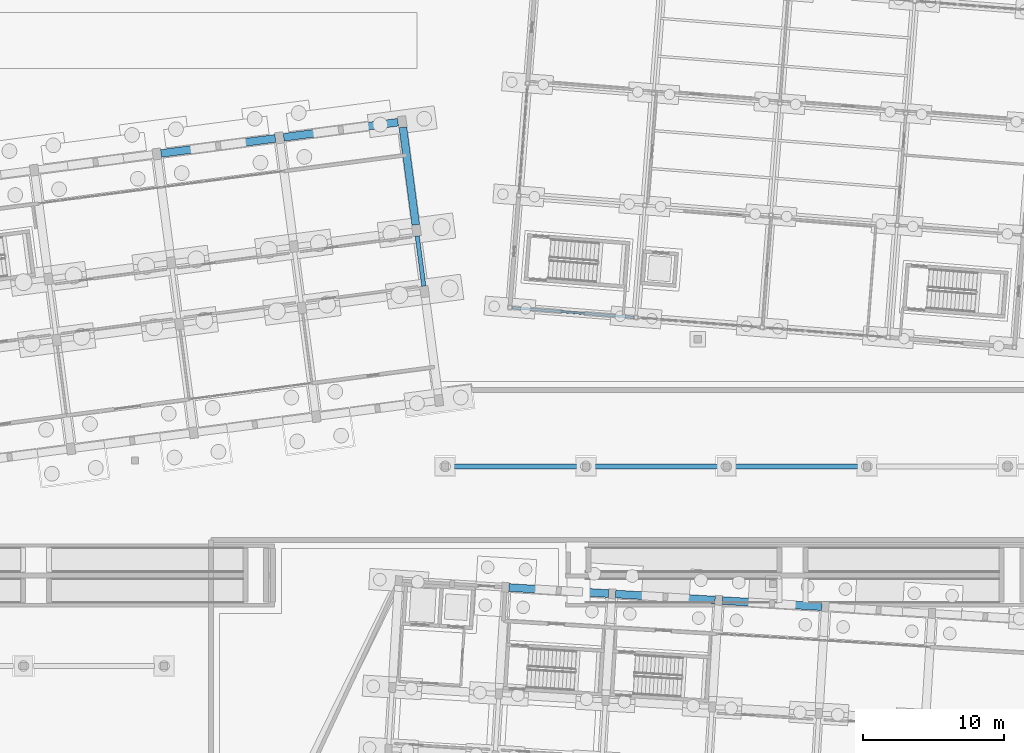
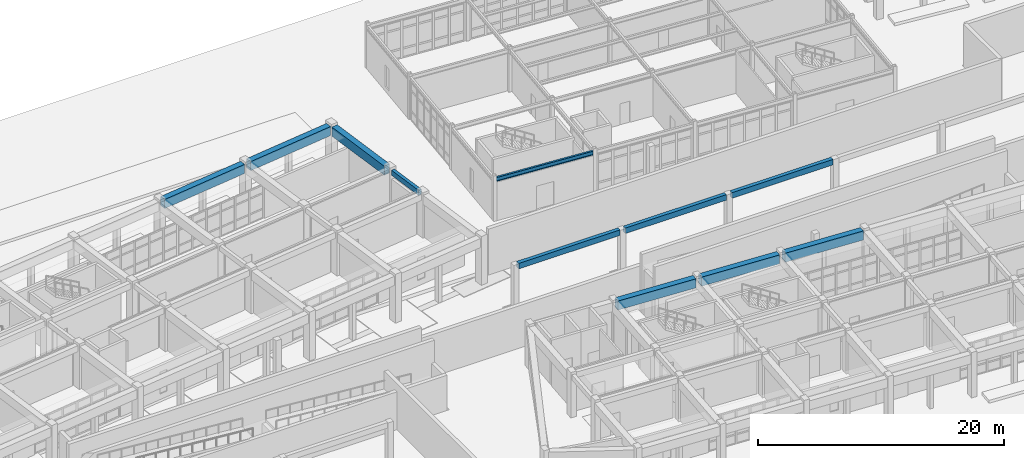
# One storey, part 71 of 154: 11 beams.
"""IFC4 building model written with IfcOpenShell, lengths in metres."""

from ifc_helpers import new_model, si_unit, direction, frame, origin, origin_2d, place, context, subcontext, project, spatial, rectangle, i_section, extrude, material, material_profile, profile_set, type_object, element, save


model = new_model("IFC4")

# Units and contexts
model_context = context("Model", 3, precision=1e-05, world=origin(), true_north=direction((0.0, 1.0)))
body_context = subcontext(model_context, "Body", "Model", "MODEL_VIEW")
ifc_project = project(units=[si_unit("LENGTHUNIT", "METRE"), si_unit("AREAUNIT", "SQUARE_METRE"), si_unit("VOLUMEUNIT", "CUBIC_METRE"), si_unit("PLANEANGLEUNIT", "RADIAN"), si_unit("MASSUNIT", "GRAM", prefix="KILO")], contexts=[model_context])

# Site, building, storey
site_placement = place(None, origin())
site = spatial("IfcSite", under=ifc_project, at=site_placement, CompositionType="ELEMENT")
building_placement = place(site_placement, origin())
building = spatial("IfcBuilding", under=site, at=building_placement, Name="Kestramere Prow Commons", CompositionType="ELEMENT")
storey_placement = place(building_placement, origin())
storey = spatial("IfcBuildingStorey", under=building, at=storey_placement, Name="L00", CompositionType="ELEMENT", Elevation=0.0)

# Beams
ifc_material_1 = material(Name="Precast concrete C40/50", Category="concrete")
ifc_material_profile_1 = material_profile(ifc_material_1, rectangle(XDim=0.35009765625, YDim=0.550048828125, at=origin_2d()), Name="PC-BM 350x550")
ifc_profile_set_1 = profile_set([ifc_material_profile_1], Name="Precast concrete C40/50")
beam_type_1 = type_object("IfcBeamType", Name="BM-C1 PC-BM 350x550", PredefinedType="BEAM", material=ifc_profile_set_1)
for number, where, z_axis, x_axis, name in (
    (1, (64.25, 74.199951171875, 3.925048828125), (1.0, 0.0, 0.0), (0.0, 1.0, 0.0), "Courtyard Support Girder 74-1"),
    (2, (74.25, 74.199951171875, 3.925048828125), (1.0, 0.0, 0.0), (0.0, 1.0, 0.0), "Courtyard Support Girder 74-2"),
    (3, (84.25, 74.199951171875, 3.925048828125), (1.0, 0.0, 0.0), (0.0, 1.0, 0.0), "Courtyard Support Girder 74-3"),
):
    element("IfcBeam", number, at=place(storey_placement, frame(where, z_axis=z_axis, x_axis=x_axis)), inside=storey, type_object=beam_type_1, Name=name, PredefinedType="BEAM", context=body_context, shape_type="SweptSolid", body=[
        extrude(rectangle(XDim=0.35009765625, YDim=0.550048828125, at=origin_2d()), origin(), (0.0, 0.0, 1.0), 9.5),
    ])
ifc_material_2 = material(Name="Steel S355JR", Category="steel")
ifc_material_profile_2 = material_profile(ifc_material_2, i_section(OverallWidth=0.177978515625, OverallDepth=0.406494140625, WebThickness=0.0078125, FlangeThickness=0.0126953125, FilletRadius=0.01025390625, at=origin_2d()), Name="UB 406x178x60")
ifc_profile_set_2 = profile_set([ifc_material_profile_2], Name="Steel S355JR")
beam_type_2 = type_object("IfcBeamType", Name="BM-NR-01 UB 406x178x60 (EX)", PredefinedType="BEAM", material=ifc_profile_set_2)
beam_1_placement = place(storey_placement, frame((68.74951171875, 85.48828125, 4.046875), z_axis=(0.996917066238, -0.078462494502, 0.0), x_axis=(0.078462494502, 0.996917066238, 0.0)))
element("IfcBeam", 4, at=beam_1_placement, inside=storey, type_object=beam_type_2, Name="Nursery L00 Beam U 1-1", PredefinedType="BEAM", context=body_context, shape_type="SweptSolid", body=[
    extrude(i_section(OverallWidth=0.177978515625, OverallDepth=0.406494140625, WebThickness=0.0078125, FlangeThickness=0.0126953125, FilletRadius=0.01025390625, at=origin_2d()), origin(), (0.0, 0.0, 1.0), 8.699951171875),
])
ifc_material_profile_3 = material_profile(ifc_material_1, rectangle(XDim=0.300048828125, YDim=0.5, at=origin_2d()), Name="PC-BM 300x500")
ifc_profile_set_3 = profile_set([ifc_material_profile_3], Name="Precast concrete C40/50")
beam_type_3 = type_object("IfcBeamType", Name="BM-TIE-01 PC-BM 300x500", PredefinedType="BEAM", material=ifc_profile_set_3)
beam_2_placement = place(storey_placement, frame((62.47802734375, 87.021728515625, 4.0), z_axis=(-0.130551000099, 0.991441595039, 0.0), x_axis=(-0.991441595039, -0.130551000099, 0.0)))
element("IfcBeam", 5, at=beam_2_placement, inside=storey, type_object=beam_type_3, Name="Block A L00 Transverse Beam 7-2", PredefinedType="BEAM", context=body_context, shape_type="SweptSolid", body=[
    extrude(rectangle(XDim=0.300048828125, YDim=0.5, at=origin_2d()), origin(), (0.0, 0.0, 1.0), 3.599853515625),
])
ifc_material_profile_4 = material_profile(ifc_material_1, rectangle(XDim=0.550048828125, YDim=0.89990234375, at=origin_2d()), Name="PC-TG 550x900")
ifc_profile_set_4 = profile_set([ifc_material_profile_4], Name="Precast concrete C40/50")
beam_type_4 = type_object("IfcBeamType", Name="TG-01 PC-TG 550x900 (EX)", PredefinedType="BEAM", material=ifc_profile_set_4)
beam_3_placement = place(storey_placement, frame((43.785888671875, 96.462646484375, 3.800048828125), z_axis=(0.991444462646, 0.130529220825, 0.0), x_axis=(-0.130529220825, 0.991444462646, 0.0)))
element("IfcBeam", 6, at=beam_3_placement, inside=storey, type_object=beam_type_4, Name="Block A L00 Longitudinal Beam 4-5", PredefinedType="BEAM", context=body_context, shape_type="SweptSolid", body=[
    extrude(rectangle(XDim=0.550048828125, YDim=0.89990234375, at=origin_2d()), origin(), (0.0, 0.0, 1.0), 8.19970703125),
])
beam_4_placement = place(storey_placement, frame((52.510498046875, 97.611328125, 3.800048828125), z_axis=(0.991444969909, 0.13052536781, 0.0), x_axis=(-0.13052536781, 0.991444969909, 0.0)))
element("IfcBeam", 7, at=beam_4_placement, inside=storey, type_object=beam_type_4, Name="Block A L00 Longitudinal Beam 4-6", PredefinedType="BEAM", context=body_context, shape_type="SweptSolid", body=[
    extrude(rectangle(XDim=0.550048828125, YDim=0.89990234375, at=origin_2d()), origin(), (0.0, 0.0, 1.0), 8.199951171875),
])
beam_5_placement = place(storey_placement, frame((61.903564453125, 91.384033203125, 3.800048828125), z_axis=(-0.13050954625, 0.991447052715, 0.0), x_axis=(-0.991447052715, -0.13050954625, 0.0)))
element("IfcBeam", 8, at=beam_5_placement, inside=storey, type_object=beam_type_4, Name="Block A L00 N Colonnade Transfer Girder 7", PredefinedType="BEAM", context=body_context, shape_type="SweptSolid", body=[
    extrude(rectangle(XDim=0.550048828125, YDim=0.89990234375, at=origin_2d()), origin(), (0.0, 0.0, 1.0), 7.0),
])
beam_6_placement = place(storey_placement, frame((68.531982421875, 65.584228515625, 3.800048828125), z_axis=(0.998135568114, -0.061035953884, 0.0), x_axis=(0.061035953884, 0.998135568114, 0.0)))
element("IfcBeam", 9, at=beam_6_placement, inside=storey, type_object=beam_type_4, Name="Block C L00 Longitudinal Beam 4-2", PredefinedType="BEAM", context=body_context, shape_type="SweptSolid", body=[
    extrude(rectangle(XDim=0.550048828125, YDim=0.89990234375, at=origin_2d()), origin(), (0.0, 0.0, 1.0), 7.099853515625),
])
beam_7_placement = place(storey_placement, frame((76.11767578125, 65.120361328125, 3.800048828125), z_axis=(0.998133600873, -0.061068116134, 0.0), x_axis=(0.061068116134, 0.998133600873, 0.0)))
element("IfcBeam", 10, at=beam_7_placement, inside=storey, type_object=beam_type_4, Name="Block C L00 Longitudinal Beam 4-3", PredefinedType="BEAM", context=body_context, shape_type="SweptSolid", body=[
    extrude(rectangle(XDim=0.550048828125, YDim=0.89990234375, at=origin_2d()), origin(), (0.0, 0.0, 1.0), 7.10009765625),
])
beam_8_placement = place(storey_placement, frame((83.70361328125, 64.65625, 3.800048828125), z_axis=(0.998135568114, -0.061035953884, 0.0), x_axis=(0.061035953884, 0.998135568114, 0.0)))
element("IfcBeam", 11, at=beam_8_placement, inside=storey, type_object=beam_type_4, Name="Block C L00 Longitudinal Beam 4-4", PredefinedType="BEAM", context=body_context, shape_type="SweptSolid", body=[
    extrude(rectangle(XDim=0.550048828125, YDim=0.89990234375, at=origin_2d()), origin(), (0.0, 0.0, 1.0), 7.099853515625),
])

save(model, "model.ifc")
